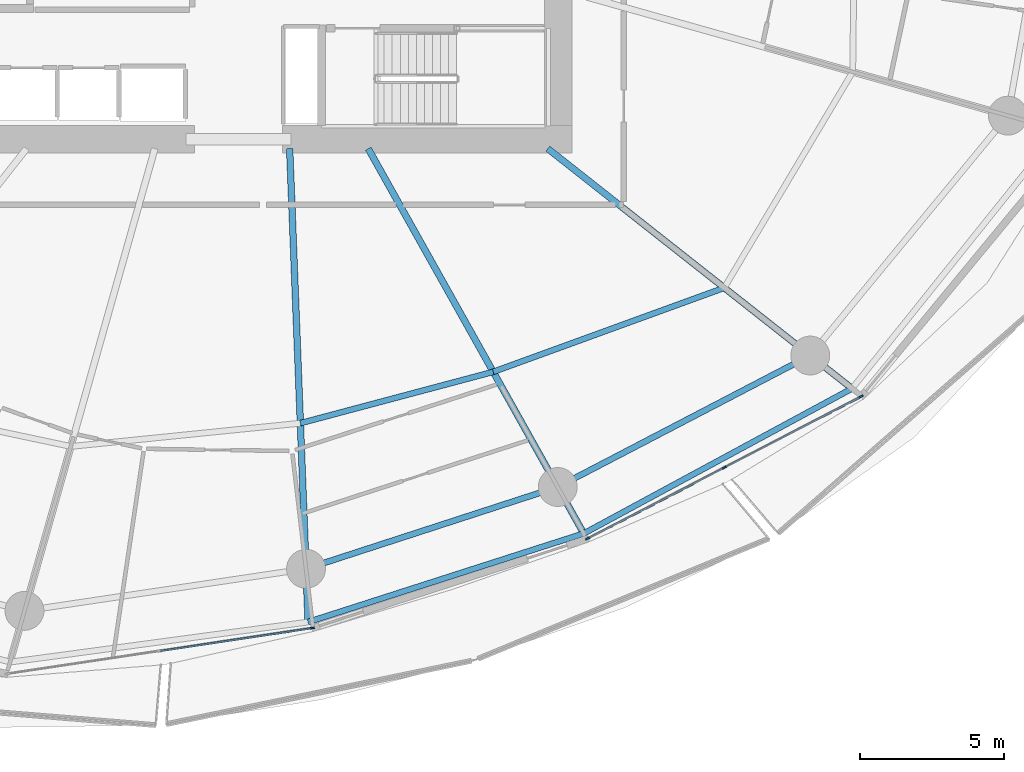
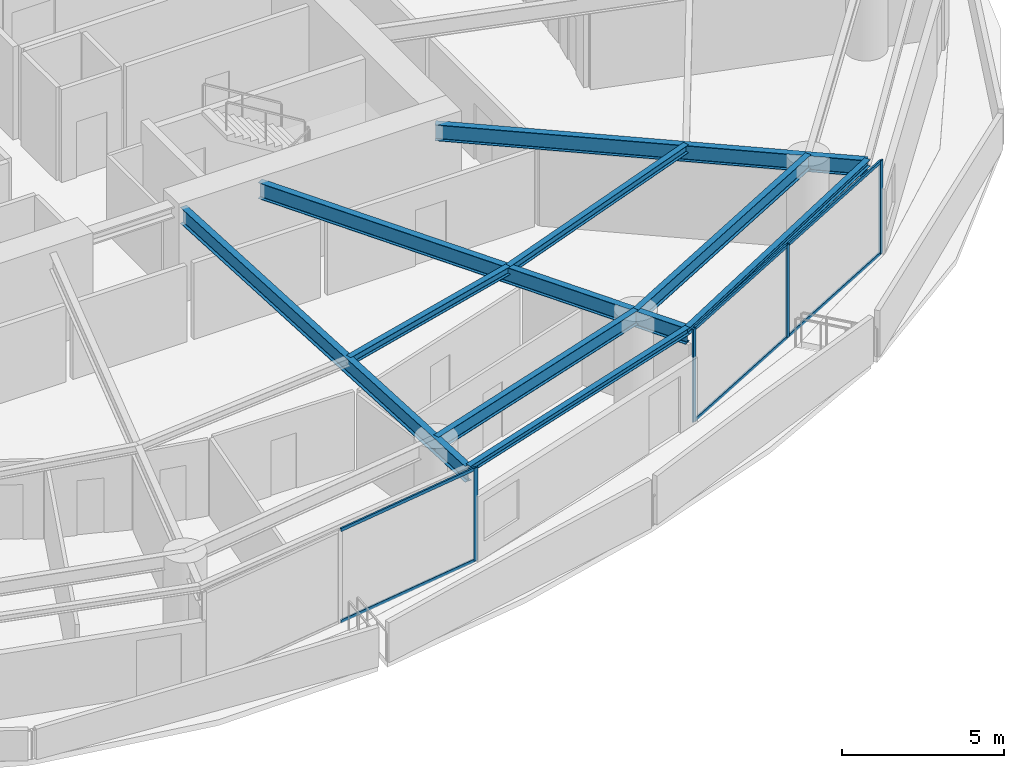
# One storey, part 9 of 31: 10 members, 9 beams, 2 elements without a shape of their own.
"""IFC4 building model written with IfcOpenShell, lengths in metres."""

from ifc_helpers import new_model, si_unit, direction, frame, origin, origin_2d, place, context, subcontext, project, spatial, rectangle, i_section, extrude, material, layer, layer_set, material_profile, profile_set, type_object, element, aggregate, save


model = new_model("IFC4")

# Units and contexts
model_context = context("Model", 3, precision=1e-05, world=origin(), true_north=direction((0.0, 1.0)))
body_context = subcontext(model_context, "Body", "Model", "MODEL_VIEW")
ifc_project = project(units=[si_unit("LENGTHUNIT", "METRE"), si_unit("AREAUNIT", "SQUARE_METRE"), si_unit("VOLUMEUNIT", "CUBIC_METRE"), si_unit("PLANEANGLEUNIT", "RADIAN"), si_unit("MASSUNIT", "GRAM", prefix="KILO")], contexts=[model_context])

# Site, building, storey
site_placement = place(None, origin())
site = spatial("IfcSite", under=ifc_project, at=site_placement, CompositionType="ELEMENT")
building_placement = place(site_placement, origin())
building = spatial("IfcBuilding", under=site, at=building_placement, Name="Kazma Halo Residences", CompositionType="ELEMENT")
storey_placement = place(building_placement, frame((0.0, 0.0, 41.39990234375)))
storey = spatial("IfcBuildingStorey", under=building, at=storey_placement, Name="L09", CompositionType="ELEMENT", Elevation=41.39990234375)

# Beams
ifc_material_1 = material(Name="Steel S355", Category="steel")
ifc_material_profile_1 = material_profile(ifc_material_1, i_section(OverallWidth=0.201904296875, OverallDepth=0.2470703125, WebThickness=0.00732421875, FlangeThickness=0.010986328125, FilletRadius=0.011962890625, at=origin_2d()), Name="W250x49.1")
ifc_profile_set_1 = profile_set([ifc_material_profile_1], Name="Steel S355")
beam_type_1 = type_object("IfcBeamType", Name="BM-BAL-CANT", PredefinedType="BEAM", material=ifc_profile_set_1)
beam_1_placement = place(storey_placement, frame((50.84033203125, 16.761962890625, 3.376708984375), z_axis=(0.952101049535, 0.305783569662, 0.0), x_axis=(-0.305783569662, 0.952101049535, 0.0)))
element("IfcBeam", 1, at=beam_1_placement, inside=storey, type_object=beam_type_1, Name="L09 wave-balcony tie beam 12", PredefinedType="BEAM", context=body_context, shape_type="SweptSolid", body=[
    extrude(i_section(OverallWidth=0.201904296875, OverallDepth=0.2470703125, WebThickness=0.00732421875, FlangeThickness=0.010986328125, FilletRadius=0.011962890625, at=origin_2d()), origin(), (0.0, 0.0, 1.0), 10.053466796875),
])
beam_2_placement = place(storey_placement, frame((60.412353515625, 19.836181640625, 3.376708984375), z_axis=(0.879759421466, 0.47541914175, 0.0), x_axis=(-0.47541914175, 0.879759421466, 0.0)))
element("IfcBeam", 2, at=beam_2_placement, inside=storey, type_object=beam_type_1, Name="L09 wave-balcony tie beam 13", PredefinedType="BEAM", context=body_context, shape_type="SweptSolid", body=[
    extrude(i_section(OverallWidth=0.201904296875, OverallDepth=0.2470703125, WebThickness=0.00732421875, FlangeThickness=0.010986328125, FilletRadius=0.011962890625, at=origin_2d()), origin(), (0.0, 0.0, 1.0), 10.58935546875),
])
ifc_material_profile_2 = material_profile(ifc_material_1, i_section(OverallWidth=0.22802734375, OverallDepth=0.60791015625, WebThickness=0.01123046875, FlangeThickness=0.017333984375, FilletRadius=0.01806640625, at=origin_2d()), Name="W610x113")
ifc_profile_set_2 = profile_set([ifc_material_profile_2], Name="Steel S355")
beam_type_2 = type_object("IfcBeamType", Name="BM-RAD-W610", PredefinedType="BEAM", material=ifc_profile_set_2)
beam_3_placement = place(storey_placement, frame((50.199951171875, 33.199951171875, 3.196044921875), z_axis=(0.038927845379, -0.999242024163, 0.0), x_axis=(0.999242024163, 0.038927845379, 0.0)))
element("IfcBeam", 3, at=beam_3_placement, inside=storey, type_object=beam_type_2, Name="L09 radial floor beam 12", PredefinedType="BEAM", context=body_context, shape_type="SweptSolid", body=[
    extrude(i_section(OverallWidth=0.22802734375, OverallDepth=0.60791015625, WebThickness=0.01123046875, FlangeThickness=0.017333984375, FilletRadius=0.01806640625, at=origin_2d()), origin(), (0.0, 0.0, 1.0), 16.450439453125),
])
beam_4_placement = place(storey_placement, frame((52.92822265625, 33.199951171875, 3.196044921875), z_axis=(0.488624239587, -0.872494328055, 0.0), x_axis=(0.872494328055, 0.488624239587, 0.0)))
element("IfcBeam", 4, at=beam_4_placement, inside=storey, type_object=beam_type_2, Name="L09 radial floor beam 13", PredefinedType="BEAM", context=body_context, shape_type="SweptSolid", body=[
    extrude(i_section(OverallWidth=0.22802734375, OverallDepth=0.60791015625, WebThickness=0.01123046875, FlangeThickness=0.017333984375, FilletRadius=0.01806640625, at=origin_2d()), origin(), (0.0, 0.0, 1.0), 15.316650390625),
])
beam_5_placement = place(storey_placement, frame((59.16259765625, 33.199951171875, 3.196044921875), z_axis=(0.785322437877, -0.619086963655, 0.0), x_axis=(0.619086963655, 0.785322437877, 0.0)))
element("IfcBeam", 5, at=beam_5_placement, inside=storey, type_object=beam_type_2, Name="L09 radial floor beam 14", PredefinedType="BEAM", context=body_context, shape_type="SweptSolid", body=[
    extrude(i_section(OverallWidth=0.22802734375, OverallDepth=0.60791015625, WebThickness=0.01123046875, FlangeThickness=0.017333984375, FilletRadius=0.01806640625, at=origin_2d()), origin(), (0.0, 0.0, 1.0), 13.454345703125),
])
ifc_material_profile_3 = material_profile(ifc_material_1, i_section(OverallWidth=0.202880859375, OverallDepth=0.302978515625, WebThickness=0.007568359375, FlangeThickness=0.01318359375, FilletRadius=0.013916015625, at=origin_2d()), Name="W310x60")
ifc_profile_set_3 = profile_set([ifc_material_profile_3], Name="Steel S355")
beam_type_3 = type_object("IfcBeamType", Name="BM-SEC-W310A", PredefinedType="JOIST", material=ifc_profile_set_3)
beam_6_placement = place(storey_placement, frame((50.5712890625, 23.666015625, 3.3486328125), z_axis=(0.966337757832, 0.257276772735, 0.0), x_axis=(-0.257276772735, 0.966337757832, 0.0)))
element("IfcBeam", 6, at=beam_6_placement, inside=storey, type_object=beam_type_3, Name="L09 circumferential floor joist 12", PredefinedType="JOIST", context=body_context, shape_type="SweptSolid", body=[
    extrude(i_section(OverallWidth=0.202880859375, OverallDepth=0.302978515625, WebThickness=0.007568359375, FlangeThickness=0.01318359375, FilletRadius=0.013916015625, at=origin_2d()), origin(), (0.0, 0.0, 1.0), 6.93115234375),
])
beam_7_placement = place(storey_placement, frame((57.26904296875, 25.44921875, 3.3486328125), z_axis=(0.939695690299, 0.34201170979, 0.0), x_axis=(-0.34201170979, 0.939695690299, 0.0)))
element("IfcBeam", 7, at=beam_7_placement, inside=storey, type_object=beam_type_3, Name="L09 circumferential floor joist 13", PredefinedType="JOIST", context=body_context, shape_type="SweptSolid", body=[
    extrude(i_section(OverallWidth=0.202880859375, OverallDepth=0.302978515625, WebThickness=0.007568359375, FlangeThickness=0.01318359375, FilletRadius=0.013916015625, at=origin_2d()), origin(), (0.0, 0.0, 1.0), 8.536865234375),
])
ifc_material_profile_4 = material_profile(ifc_material_1, i_section(OverallWidth=0.208984375, OverallDepth=0.532958984375, WebThickness=0.01025390625, FlangeThickness=0.015625, FilletRadius=0.01611328125, at=origin_2d()), Name="W530x92")
ifc_profile_set_4 = profile_set([ifc_material_profile_4], Name="Steel S355")
beam_type_4 = type_object("IfcBeamType", Name="BM-SPN-W530", PredefinedType="BEAM", material=ifc_profile_set_4)
beam_8_placement = place(storey_placement, frame((50.768310546875, 18.610595703125, 3.233642578125), z_axis=(0.951054956346, 0.309021795363, 0.0), x_axis=(-0.309021795363, 0.951054956346, 0.0)))
element("IfcBeam", 8, at=beam_8_placement, inside=storey, type_object=beam_type_4, Name="L09 perimeter ring beam 12", PredefinedType="BEAM", context=body_context, shape_type="SweptSolid", body=[
    extrude(i_section(OverallWidth=0.208984375, OverallDepth=0.532958984375, WebThickness=0.01025390625, FlangeThickness=0.015625, FilletRadius=0.01611328125, at=origin_2d()), origin(), (0.0, 0.0, 1.0), 9.189697265625),
])
beam_9_placement = place(storey_placement, frame((59.50830078125, 21.450439453125, 3.233642578125), z_axis=(0.886956241699, 0.461853467358, 0.0), x_axis=(-0.461853467358, 0.886956241699, 0.0)))
element("IfcBeam", 9, at=beam_9_placement, inside=storey, type_object=beam_type_4, Name="L09 perimeter ring beam 13", PredefinedType="BEAM", context=body_context, shape_type="SweptSolid", body=[
    extrude(i_section(OverallWidth=0.208984375, OverallDepth=0.532958984375, WebThickness=0.01025390625, FlangeThickness=0.015625, FilletRadius=0.01611328125, at=origin_2d()), origin(), (0.0, 0.0, 1.0), 9.885009765625),
])

# Curtain wall, member
ifc_material_2 = material(Name="Aluminium AW-6063 T6 and Triple-Silver Low-E Glass", Category="aluminium")
ifc_layer = layer(ifc_material_2, 0.159912109375)
ifc_layer_set = layer_set([ifc_layer], Name="Aluminium AW-6063 T6 and Triple-Silver Low-E Glass")
curtain_wall_type = type_object("IfcCurtainWallType", Name="CW-SYS-2", PredefinedType="NOTDEFINED", material=ifc_layer_set)
curtain_wall_1_placement = place(storey_placement, origin())
curtain_wall_1 = element("IfcCurtainWall", 10, at=curtain_wall_1_placement, inside=storey, type_object=curtain_wall_type, Name="L09 unitised curtain wall B11", PredefinedType="NOTDEFINED")
ifc_material_3 = material(Name="Aluminium AW-6063 T6", Category="aluminium")
ifc_material_profile_5 = material_profile(ifc_material_3, rectangle(XDim=0.06005859375, YDim=0.159912109375, at=origin_2d()), Name="CWM-60x160")
ifc_profile_set_5 = profile_set([ifc_material_profile_5], Name="Aluminium AW-6063 T6")
member_type_1 = type_object("IfcMemberType", Name="CW-SYS-2-MUL", PredefinedType="MULLION", material=ifc_profile_set_5)
member_1_placement = place(storey_placement, frame((50.981689453125, 16.552490234375, 0.0), z_axis=(0.0, 0.0, 1.0), x_axis=(-0.148657272805, 0.988888777994, 0.0)))
member_1 = element("IfcMember", 11, at=member_1_placement, type_object=member_type_1, Name="CWS-2 mullion 3", PredefinedType="MULLION", context=body_context, shape_type="SweptSolid", body=[
    extrude(rectangle(XDim=0.06005859375, YDim=0.159912109375, at=origin_2d()), origin(), (0.0, 0.0, 1.0), 3.5),
])

# Curtain wall, members
curtain_wall_2_placement = place(storey_placement, origin())
curtain_wall_2 = element("IfcCurtainWall", 12, at=curtain_wall_2_placement, inside=storey, type_object=curtain_wall_type, Name="L09 unitised curtain wall B13", PredefinedType="NOTDEFINED")
member_2_placement = place(storey_placement, frame((60.54541015625, 19.659912109375, 0.0), z_axis=(0.0, 0.0, 1.0), x_axis=(-0.460995912628, 0.887402258584, 0.0)))
member_2 = element("IfcMember", 13, at=member_2_placement, type_object=member_type_1, Name="CWS-2 mullion 1", PredefinedType="MULLION", context=body_context, shape_type="SweptSolid", body=[
    extrude(rectangle(XDim=0.06005859375, YDim=0.159912109375, at=origin_2d()), origin(), (0.0, 0.0, 1.0), 3.5),
])
member_3_placement = place(storey_placement, frame((65.2919921875, 22.125732421875, 0.0), z_axis=(0.0, 0.0, 1.0), x_axis=(-0.460995912628, 0.887402258584, 0.0)))
member_3 = element("IfcMember", 14, at=member_3_placement, type_object=member_type_1, Name="CWS-2 mullion 2", PredefinedType="MULLION", context=body_context, shape_type="SweptSolid", body=[
    extrude(rectangle(XDim=0.06005859375, YDim=0.159912109375, at=origin_2d()), origin(), (0.0, 0.0, 1.0), 3.5),
])
member_4_placement = place(storey_placement, frame((70.03857421875, 24.591552734375, 0.0), z_axis=(0.0, 0.0, 1.0), x_axis=(-0.460995912628, 0.887402258584, 0.0)))
member_4 = element("IfcMember", 15, at=member_4_placement, type_object=member_type_1, Name="CWS-2 mullion 3", PredefinedType="MULLION", context=body_context, shape_type="SweptSolid", body=[
    extrude(rectangle(XDim=0.06005859375, YDim=0.159912109375, at=origin_2d()), origin(), (0.0, 0.0, 1.0), 3.5),
])

# Member
ifc_material_profile_6 = material_profile(ifc_material_3, rectangle(XDim=0.06005859375, YDim=0.1201171875, at=origin_2d()), Name="CWT-60x120")
ifc_profile_set_6 = profile_set([ifc_material_profile_6], Name="Aluminium AW-6063 T6")
member_type_2 = type_object("IfcMemberType", Name="CW-SYS-2-TRN", PredefinedType="USERDEFINED", material=ifc_profile_set_6)
member_5_placement = place(storey_placement, frame((45.721923828125, 15.761962890625, 0.030029296875), z_axis=(0.98889195415, 0.148636143041, 0.0), x_axis=(-0.148636143041, 0.98889195415, 0.0)))
member_5 = element("IfcMember", 16, at=member_5_placement, type_object=member_type_2, Name="CWS-2 transom 2.1", ObjectType="TRANSOM", PredefinedType="USERDEFINED", context=body_context, shape_type="SweptSolid", body=[
    extrude(rectangle(XDim=0.06005859375, YDim=0.1201171875, at=origin_2d()), origin(), (0.0, 0.0, 1.0), 5.2890625),
])

member_6_placement = place(storey_placement, frame((45.721923828125, 15.761962890625, 3.47021484375), z_axis=(0.98889195415, 0.148636143041, 0.0), x_axis=(-0.148636143041, 0.98889195415, 0.0)))
member_6 = element("IfcMember", 17, at=member_6_placement, type_object=member_type_2, Name="CWS-2 transom 2.2", ObjectType="TRANSOM", PredefinedType="USERDEFINED", context=body_context, shape_type="SweptSolid", body=[
    extrude(rectangle(XDim=0.06005859375, YDim=0.1201171875, at=origin_2d()), origin(), (0.0, 0.0, 1.0), 5.2890625),
])

aggregate(curtain_wall_1, [member_1, member_5, member_6])

member_7_placement = place(storey_placement, frame((60.572021484375, 19.673828125, 0.030029296875), z_axis=(0.887414738583, 0.460971888238, 0.0), x_axis=(-0.460971888238, 0.887414738583, 0.0)))
member_7 = element("IfcMember", 18, at=member_7_placement, type_object=member_type_2, Name="CWS-2 transom 1.1", ObjectType="TRANSOM", PredefinedType="USERDEFINED", context=body_context, shape_type="SweptSolid", body=[
    extrude(rectangle(XDim=0.06005859375, YDim=0.1201171875, at=origin_2d()), origin(), (0.0, 0.0, 1.0), 5.288818359375),
])

member_8_placement = place(storey_placement, frame((60.572021484375, 19.673828125, 3.47021484375), z_axis=(0.887414738583, 0.460971888238, 0.0), x_axis=(-0.460971888238, 0.887414738583, 0.0)))
member_8 = element("IfcMember", 19, at=member_8_placement, type_object=member_type_2, Name="CWS-2 transom 1.2", ObjectType="TRANSOM", PredefinedType="USERDEFINED", context=body_context, shape_type="SweptSolid", body=[
    extrude(rectangle(XDim=0.06005859375, YDim=0.1201171875, at=origin_2d()), origin(), (0.0, 0.0, 1.0), 5.288818359375),
])

member_9_placement = place(storey_placement, frame((65.318603515625, 22.1396484375, 0.030029296875), z_axis=(0.887414738583, 0.460971888238, 0.0), x_axis=(-0.460971888238, 0.887414738583, 0.0)))
member_9 = element("IfcMember", 20, at=member_9_placement, type_object=member_type_2, Name="CWS-2 transom 2.1", ObjectType="TRANSOM", PredefinedType="USERDEFINED", context=body_context, shape_type="SweptSolid", body=[
    extrude(rectangle(XDim=0.06005859375, YDim=0.1201171875, at=origin_2d()), origin(), (0.0, 0.0, 1.0), 5.288818359375),
])

member_10_placement = place(storey_placement, frame((65.318603515625, 22.1396484375, 3.47021484375), z_axis=(0.887414738583, 0.460971888238, 0.0), x_axis=(-0.460971888238, 0.887414738583, 0.0)))
member_10 = element("IfcMember", 21, at=member_10_placement, type_object=member_type_2, Name="CWS-2 transom 2.2", ObjectType="TRANSOM", PredefinedType="USERDEFINED", context=body_context, shape_type="SweptSolid", body=[
    extrude(rectangle(XDim=0.06005859375, YDim=0.1201171875, at=origin_2d()), origin(), (0.0, 0.0, 1.0), 5.288818359375),
])

aggregate(curtain_wall_2, [member_2, member_3, member_4, member_7, member_8, member_9, member_10])

save(model, "model.ifc")
